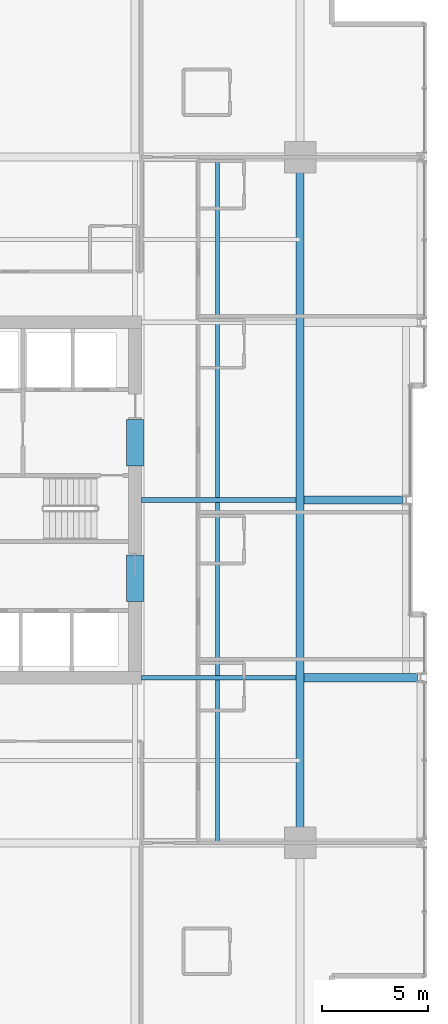
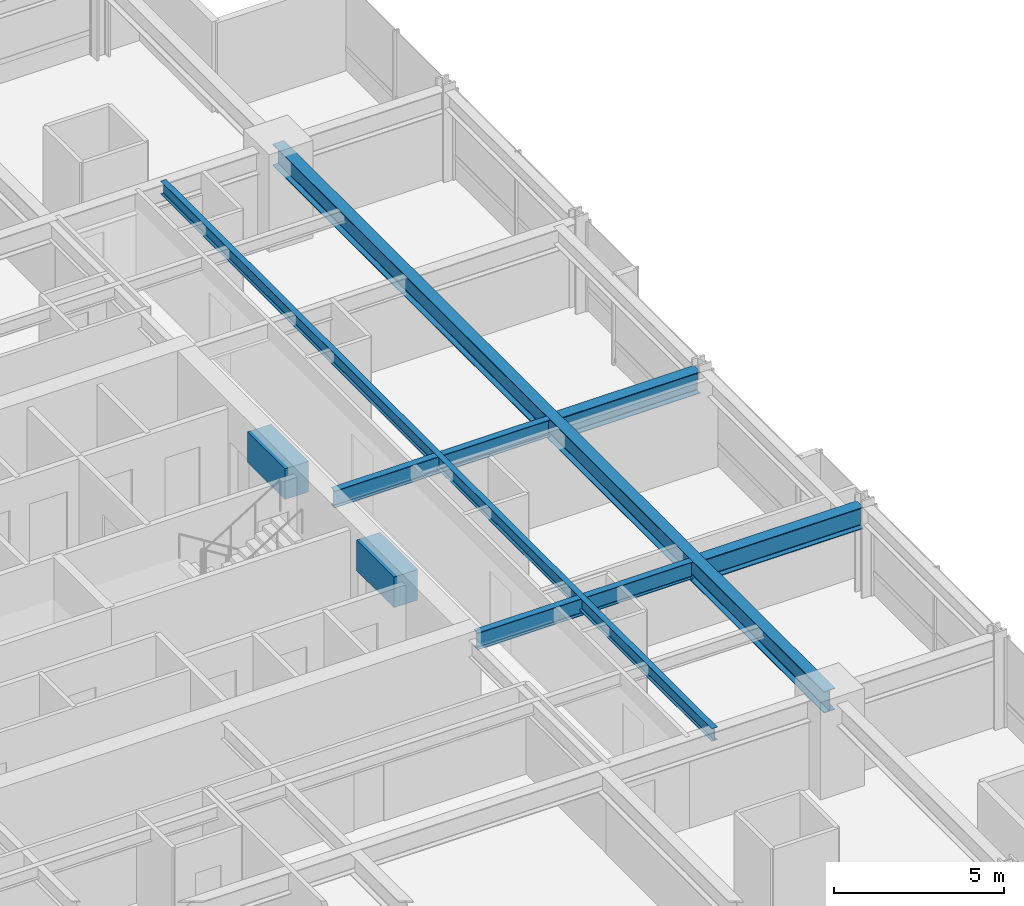
# One storey, part 14 of 34: 8 beams.
"""IFC4 building model written with IfcOpenShell, lengths in metres."""

from ifc_helpers import new_model, si_unit, direction, frame, origin, origin_2d, place, context, subcontext, project, spatial, rectangle, i_section, extrude, material, material_profile, profile_set, type_object, element, save


model = new_model("IFC4")

# Units and contexts
model_context = context("Model", 3, precision=1e-05, world=origin(), true_north=direction((0.0, 1.0)))
body_context = subcontext(model_context, "Body", "Model", "MODEL_VIEW")
ifc_project = project(units=[si_unit("LENGTHUNIT", "METRE"), si_unit("AREAUNIT", "SQUARE_METRE"), si_unit("VOLUMEUNIT", "CUBIC_METRE"), si_unit("PLANEANGLEUNIT", "RADIAN"), si_unit("MASSUNIT", "GRAM", prefix="KILO")], contexts=[model_context])

# Site, building, storey
site_placement = place(None, origin())
site = spatial("IfcSite", under=ifc_project, at=site_placement, CompositionType="ELEMENT")
building_placement = place(site_placement, origin())
building = spatial("IfcBuilding", under=site, at=building_placement, Name="Drelvath Grand Hotel", CompositionType="ELEMENT")
storey_placement = place(building_placement, frame((0.0, 0.0, 102.300048828125)))
storey = spatial("IfcBuildingStorey", under=building, at=storey_placement, Name="L25", CompositionType="ELEMENT", Elevation=102.300048828125)

# Beams
ifc_material_1 = material(Name="Steel ASTM A992 Gr 50", Category="steel")
ifc_material_profile_1 = material_profile(ifc_material_1, i_section(OverallWidth=0.19140625, OverallDepth=0.4599609375, WebThickness=0.010009765625, FlangeThickness=0.01611328125, FilletRadius=0.01611328125, at=origin_2d()), Name="W18X55")
ifc_profile_set_1 = profile_set([ifc_material_profile_1], Name="Steel ASTM A992 Gr 50")
beam_type_1 = type_object("IfcBeamType", Name="Composite Floor Joist W18X55", PredefinedType="JOIST", material=ifc_profile_set_1)
beam_1_placement = place(storey_placement, frame((12.300048828125, 10.800048828125, 3.010009765625), z_axis=(0.0, 1.0, 0.0), x_axis=(-1.0, 0.0, 0.0)))
element("IfcBeam", 1, at=beam_1_placement, inside=storey, type_object=beam_type_1, Name="L25 Wing Floor Joist J4", PredefinedType="JOIST", context=body_context, shape_type="SweptSolid", body=[
    extrude(i_section(OverallWidth=0.19140625, OverallDepth=0.4599609375, WebThickness=0.010009765625, FlangeThickness=0.01611328125, FilletRadius=0.01611328125, at=origin_2d()), origin(), (0.0, 0.0, 1.0), 32.39990234375),
])
ifc_material_2 = material(Name="Concrete f'c 70 MPa", Category="concrete")
ifc_material_profile_2 = material_profile(ifc_material_2, rectangle(XDim=0.800048828125, YDim=1.10009765625, at=origin_2d()), Name="CB800X1100")
ifc_profile_set_2 = profile_set([ifc_material_profile_2], Name="Concrete f'c 70 MPa")
beam_type_2 = type_object("IfcBeamType", Name="Core Coupling Lintel CB800X1100", PredefinedType="LINTEL", material=ifc_profile_set_2)
for number, where, z_axis, x_axis, name in (
    (2, (8.39990234375, 22.199951171875, 2.68994140625), (0.0, 1.0, 0.0), (-1.0, 0.0, 0.0), "L25 Core Coupling Lintel ES"),
    (3, (8.39990234375, 28.60009765625, 2.68994140625), (0.0, 1.0, 0.0), (-1.0, 0.0, 0.0), "L25 Core Coupling Lintel EN"),
):
    element("IfcBeam", number, at=place(storey_placement, frame(where, z_axis=z_axis, x_axis=x_axis)), inside=storey, type_object=beam_type_2, Name=name, PredefinedType="LINTEL", context=body_context, shape_type="SweptSolid", body=[
        extrude(rectangle(XDim=0.800048828125, YDim=1.10009765625, at=origin_2d()), origin(), (0.0, 0.0, 1.0), 2.199951171875),
    ])
ifc_material_profile_3 = material_profile(ifc_material_1, i_section(OverallWidth=0.228271484375, OverallDepth=0.607666015625, WebThickness=0.01123046875, FlangeThickness=0.017333984375, FilletRadius=0.02001953125, at=origin_2d()), Name="W24X76")
ifc_profile_set_3 = profile_set([ifc_material_profile_3], Name="Steel ASTM A992 Gr 50")
beam_type_3 = type_object("IfcBeamType", Name="Primary Floor Girder W24X76", PredefinedType="BEAM", material=ifc_profile_set_3)
for number, where, z_axis, x_axis, name in (
    (4, (8.699951171875, 18.60009765625, 2.93603515625), (1.0, 0.0, 0.0), (0.0, 1.0, 0.0), "L25 East Core Tie D"),
    (5, (8.699951171875, 27.0, 2.93603515625), (1.0, 0.0, 0.0), (0.0, 1.0, 0.0), "L25 East Core Tie E"),
):
    element("IfcBeam", number, at=place(storey_placement, frame(where, z_axis=z_axis, x_axis=x_axis)), inside=storey, type_object=beam_type_3, Name=name, PredefinedType="BEAM", context=body_context, shape_type="SweptSolid", body=[
        extrude(i_section(OverallWidth=0.228271484375, OverallDepth=0.607666015625, WebThickness=0.01123046875, FlangeThickness=0.017333984375, FilletRadius=0.02001953125, at=origin_2d()), origin(), (0.0, 0.0, 1.0), 7.309814453125),
    ])
ifc_material_profile_4 = material_profile(ifc_material_1, i_section(OverallWidth=0.380615234375, OverallDepth=0.773193359375, WebThickness=0.0166015625, FlangeThickness=0.027099609375, FilletRadius=0.02490234375, at=origin_2d()), Name="W30X173")
ifc_profile_set_4 = profile_set([ifc_material_profile_4], Name="Steel ASTM A992 Gr 50")
beam_type_4 = type_object("IfcBeamType", Name="Primary Floor Girder W30X173", PredefinedType="BEAM", material=ifc_profile_set_4)
beam_2_placement = place(storey_placement, frame((16.199951171875, 10.800048828125, 2.853271484375), z_axis=(0.0, 1.0, 0.0), x_axis=(-1.0, 0.0, 0.0)))
element("IfcBeam", 6, at=beam_2_placement, inside=storey, type_object=beam_type_4, Name="L25 Mega Ring Girder East", PredefinedType="BEAM", context=body_context, shape_type="SweptSolid", body=[
    extrude(i_section(OverallWidth=0.380615234375, OverallDepth=0.773193359375, WebThickness=0.0166015625, FlangeThickness=0.027099609375, FilletRadius=0.02490234375, at=origin_2d()), origin(), (0.0, 0.0, 1.0), 32.39990234375),
])
beam_3_placement = place(storey_placement, frame((16.390380859375, 18.60009765625, 2.853271484375), z_axis=(1.0, 0.0, 0.0), x_axis=(0.0, 1.0, 0.0)))
element("IfcBeam", 7, at=beam_3_placement, inside=storey, type_object=beam_type_4, Name="L25 East Wing Girder D", PredefinedType="BEAM", context=body_context, shape_type="SweptSolid", body=[
    extrude(i_section(OverallWidth=0.380615234375, OverallDepth=0.773193359375, WebThickness=0.0166015625, FlangeThickness=0.027099609375, FilletRadius=0.02490234375, at=origin_2d()), origin(), (0.0, 0.0, 1.0), 5.349609375),
])
beam_4_placement = place(storey_placement, frame((16.390380859375, 27.0, 2.853271484375), z_axis=(1.0, 0.0, 0.0), x_axis=(0.0, 1.0, 0.0)))
element("IfcBeam", 8, at=beam_4_placement, inside=storey, type_object=beam_type_4, Name="L25 East Wing Girder E", PredefinedType="BEAM", context=body_context, shape_type="SweptSolid", body=[
    extrude(i_section(OverallWidth=0.380615234375, OverallDepth=0.773193359375, WebThickness=0.0166015625, FlangeThickness=0.027099609375, FilletRadius=0.02490234375, at=origin_2d()), origin(), (0.0, 0.0, 1.0), 4.669677734375),
])

save(model, "model.ifc")
